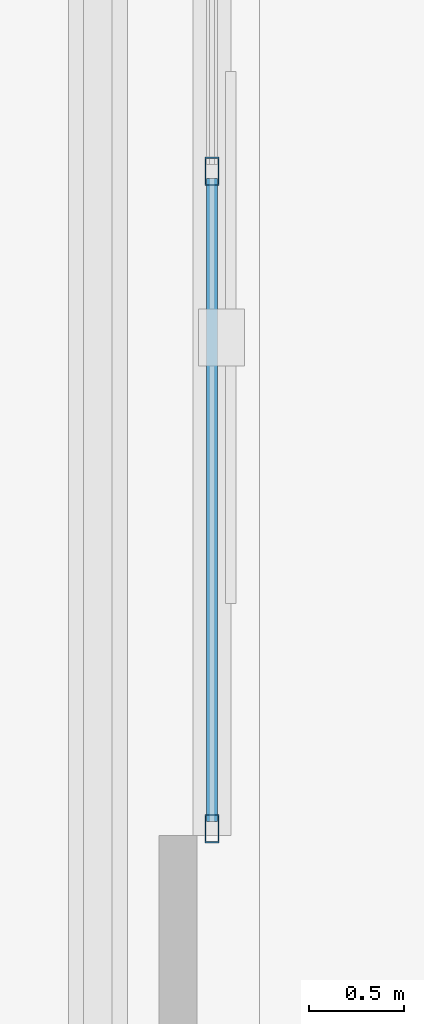
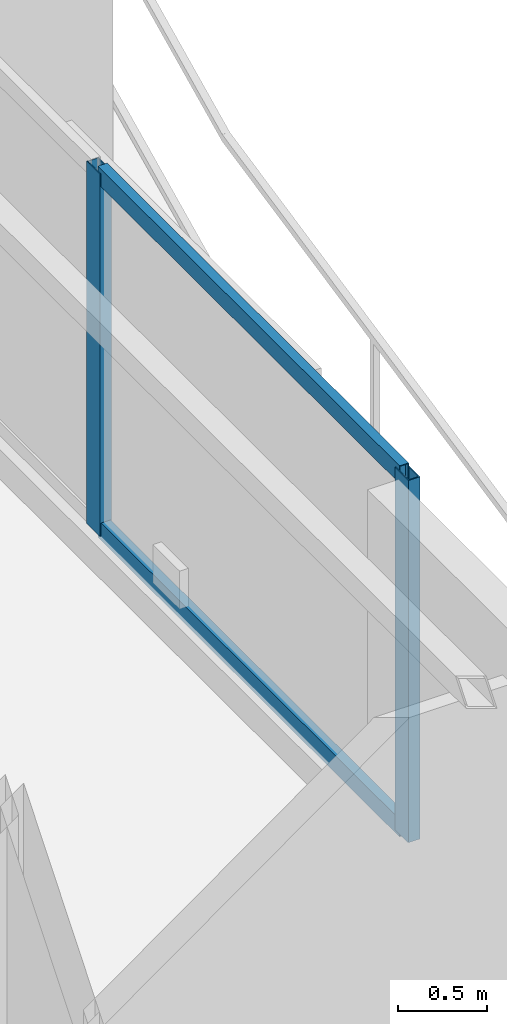
# One storey, part 7 of 19: 4 members, 1 element without a shape of its own.
"""IFC4 building model written with IfcOpenShell, lengths in metres."""

from ifc_helpers import new_model, si_unit, direction, frame, origin, origin_2d, place, context, subcontext, project, spatial, hollow_rectangle, extrude, material, layer, layer_set, material_profile, profile_set, type_object, element, aggregate, save


model = new_model("IFC4")

# Units and contexts
model_context = context("Model", 3, precision=1e-05, world=origin(), true_north=direction((0.0, 1.0)))
body_context = subcontext(model_context, "Body", "Model", "MODEL_VIEW")
ifc_project = project(units=[si_unit("LENGTHUNIT", "METRE"), si_unit("AREAUNIT", "SQUARE_METRE"), si_unit("VOLUMEUNIT", "CUBIC_METRE"), si_unit("PLANEANGLEUNIT", "RADIAN"), si_unit("MASSUNIT", "GRAM", prefix="KILO")], contexts=[model_context])

# Site, building, storey
site_placement = place(None, origin())
site = spatial("IfcSite", under=ifc_project, at=site_placement, CompositionType="ELEMENT")
building_placement = place(site_placement, origin())
building = spatial("IfcBuilding", under=site, at=building_placement, Name="Mersakhor Tower and Convention Hall", CompositionType="ELEMENT")
storey_placement = place(building_placement, frame((0.0, 0.0, 147.60009765625)))
storey = spatial("IfcBuildingStorey", under=building, at=storey_placement, Name="L41", CompositionType="ELEMENT", Elevation=147.60009765625)

# Curtain wall, members
ifc_material_1 = material(Name="Dark solar low-E aluminium curtain wall", Category="aluminium")
ifc_layer = layer(ifc_material_1, 0.169921875)
ifc_layer_set = layer_set([ifc_layer], Name="Dark solar low-E aluminium curtain wall")
curtain_wall_type = type_object("IfcCurtainWallType", Name="CW-SYS-02", PredefinedType="USERDEFINED", material=ifc_layer_set)
curtain_wall_placement = place(storey_placement, origin())
curtain_wall = element("IfcCurtainWall", 1, at=curtain_wall_placement, inside=storey, type_object=curtain_wall_type, Name="L41 Dark-Glass Curtain Wall F2-B2", ObjectType="CURTAIN WALL", PredefinedType="USERDEFINED")
ifc_material_2 = material(Name="Anodised aluminium EN AW-6063 T6", Category="aluminium")
ifc_material_profile_1 = material_profile(ifc_material_2, hollow_rectangle(XDim=0.074951171875, YDim=0.14990234375, WallThickness=0.00634765625, at=origin_2d()), Name="RHS 150x75x6.3")
ifc_profile_set_1 = profile_set([ifc_material_profile_1], Name="Anodised aluminium EN AW-6063 T6")
member_type_1 = type_object("IfcMemberType", Name="CWM-150x75", PredefinedType="MULLION", material=ifc_profile_set_1)
member_1_placement = place(storey_placement, frame((42.21923828125, 25.00244140625, 0.199951171875), z_axis=(0.0, 0.0, 1.0), x_axis=(1.0, 0.0, 0.0)))
member_1 = element("IfcMember", 2, at=member_1_placement, type_object=member_type_1, Name="CW-02 mullion 3", PredefinedType="MULLION", context=body_context, shape_type="SweptSolid", body=[
    extrude(hollow_rectangle(XDim=0.074951171875, YDim=0.14990234375, WallThickness=0.00634765625, at=origin_2d()), origin(), (0.0, 0.0, 1.0), 2.47998046875),
])
member_2_placement = place(storey_placement, frame((42.21923828125, 21.54443359375, 0.199951171875), z_axis=(0.0, 0.0, 1.0), x_axis=(1.0, 0.0, 0.0)))
member_2 = element("IfcMember", 3, at=member_2_placement, type_object=member_type_1, Name="CW-02 mullion 4", PredefinedType="MULLION", context=body_context, shape_type="SweptSolid", body=[
    extrude(hollow_rectangle(XDim=0.074951171875, YDim=0.14990234375, WallThickness=0.00634765625, at=origin_2d()), origin(), (0.0, 0.0, 1.0), 2.47998046875),
])
ifc_material_3 = material(Name="Anodised aluminium EN AW-6063 T6", Category="aluminium")
ifc_material_profile_2 = material_profile(ifc_material_3, hollow_rectangle(XDim=0.06005859375, YDim=0.1201171875, WallThickness=0.0048828125, at=origin_2d()), Name="RHS 120x60x5")
ifc_profile_set_2 = profile_set([ifc_material_profile_2], Name="Anodised aluminium EN AW-6063 T6")
member_type_2 = type_object("IfcMemberType", Name="CWT-120x60", PredefinedType="USERDEFINED", material=ifc_profile_set_2)
member_3_placement = place(storey_placement, frame((42.21923828125, 24.96484375, 0.22998046875), z_axis=(0.0, -1.0, 0.0), x_axis=(1.0, 0.0, 0.0)))
member_3 = element("IfcMember", 4, at=member_3_placement, type_object=member_type_2, Name="CW-02 transom 3.1", ObjectType="TRANSOM", PredefinedType="USERDEFINED", context=body_context, shape_type="SweptSolid", body=[
    extrude(hollow_rectangle(XDim=0.06005859375, YDim=0.1201171875, WallThickness=0.0048828125, at=origin_2d()), origin(), (0.0, 0.0, 1.0), 3.3828125),
])
member_4_placement = place(storey_placement, frame((42.21923828125, 24.96484375, 2.64990234375), z_axis=(0.0, -1.0, 0.0), x_axis=(1.0, 0.0, 0.0)))
member_4 = element("IfcMember", 5, at=member_4_placement, type_object=member_type_2, Name="CW-02 transom 3.2", ObjectType="TRANSOM", PredefinedType="USERDEFINED", context=body_context, shape_type="SweptSolid", body=[
    extrude(hollow_rectangle(XDim=0.06005859375, YDim=0.1201171875, WallThickness=0.0048828125, at=origin_2d()), origin(), (0.0, 0.0, 1.0), 3.3828125),
])
aggregate(curtain_wall, [member_1, member_2, member_3, member_4])

save(model, "model.ifc")
